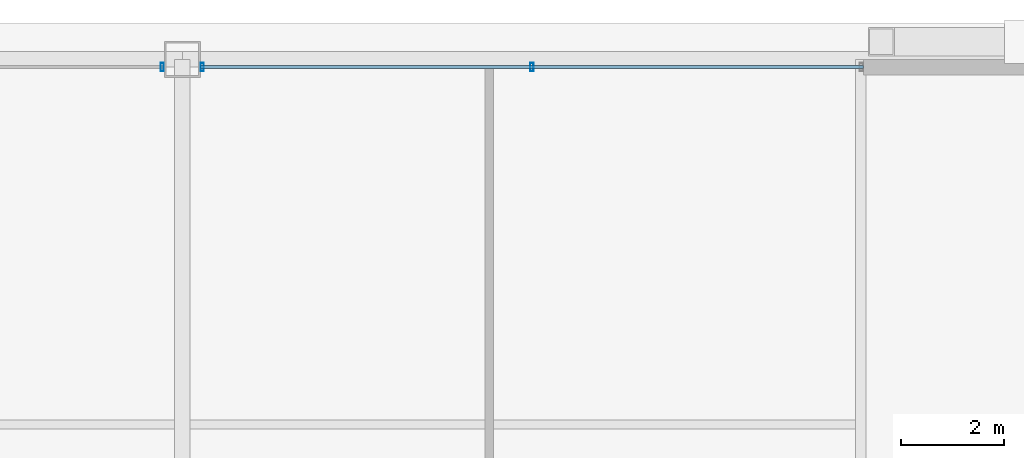
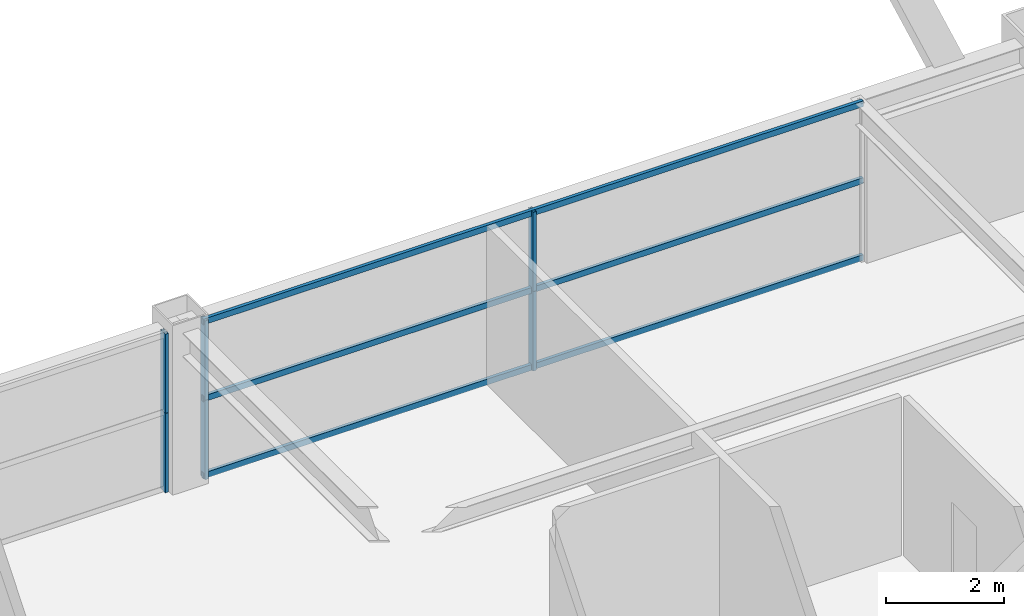
# One storey, part 25 of 33: 9 members, 2 elements without a shape of their own.
"""IFC4 building model written with IfcOpenShell, lengths in metres."""

import ifcopenshell
import ifcopenshell.guid

model = None  # the IFC model being written
_history = None  # IfcOwnerHistory: only IFC2X3 demands one
_inside = {}  # id of a spatial element -> (the spatial element, [elements in it])
_under = {}  # id of a project, library or spatial element -> (it, [spatial elements below it])
_declared = {}  # id of a project -> (the project, [libraries it declares])
_typed = {}  # id of a type object -> (the type object, [elements of that type])
_made_of = {}  # id of a material, layer set ... -> (it, [elements and type objects made of it])


def new_model(schema):
    """Start an empty IFC model of exactly this schema.

    Asked for "IFC4X3", IfcOpenShell would pick the latest addendum, in which some entities
    have other attributes; the version numbers below select the first issue.
    IFC2X3 requires an IfcOwnerHistory on every rooted entity: one is made here for all.
    """
    global model, _history
    if schema == "IFC4X3":
        model = ifcopenshell.file(schema_version=(4, 3, 0, 0))
    else:
        model = ifcopenshell.file(schema=schema)
    _inside.clear()
    _under.clear()
    _declared.clear()
    _typed.clear()
    _made_of.clear()
    _history = None
    if model.schema == "IFC2X3":
        org = make("IfcOrganization", Name="unknown")
        user = make(
            "IfcPersonAndOrganization",
            ThePerson=make("IfcPerson", FamilyName="unknown"),
            TheOrganization=org,
        )
        app = make(
            "IfcApplication",
            ApplicationDeveloper=org,
            Version="unknown",
            ApplicationFullName="unknown",
            ApplicationIdentifier="unknown",
        )
        _history = make(
            "IfcOwnerHistory",
            OwningUser=user,
            OwningApplication=app,
            ChangeAction="ADDED",
            CreationDate=0,
        )
    return model


def make(cls, **values):
    """One entity of the class cls with the attributes given. An attribute that is None is left unset."""
    return model.create_entity(
        cls, **{name: value for name, value in values.items() if value is not None}
    )


def rooted(cls, **values):
    """An entity with a GlobalId (a new one), such as an element, a storey or a relation."""
    return make(cls, GlobalId=ifcopenshell.guid.new(), OwnerHistory=_history, **values)


def si_unit(unit_type, name, prefix=None):
    """IfcSIUnit, for example si_unit("LENGTHUNIT", "METRE", prefix="MILLI")."""
    return make("IfcSIUnit", UnitType=unit_type, Prefix=prefix, Name=name)


def assignment(units):
    """IfcUnitAssignment: the units of a project."""
    return None if units is None else make("IfcUnitAssignment", Units=units)


def point(xyz):
    """IfcCartesianPoint."""
    return None if xyz is None else make("IfcCartesianPoint", Coordinates=xyz)


def direction(xyz):
    """IfcDirection."""
    return None if xyz is None else make("IfcDirection", DirectionRatios=xyz)


def frame(location, z_axis=None, x_axis=None):
    """IfcAxis2Placement3D, a coordinate frame: its origin and axes. An axis left out is left unset."""
    return make(
        "IfcAxis2Placement3D",
        Location=point(location),
        Axis=direction(z_axis),
        RefDirection=direction(x_axis),
    )


def frame_2d(location, x_axis=None):
    """IfcAxis2Placement2D, a coordinate frame in the plane: its origin and x axis."""
    return make(
        "IfcAxis2Placement2D", Location=point(location), RefDirection=direction(x_axis)
    )


def origin():
    """The frame at (0, 0, 0) with its axes left unset."""
    return frame((0.0, 0.0, 0.0))


def origin_2d():
    """The frame at (0, 0) in the plane with its x axis left unset."""
    return frame_2d((0.0, 0.0))


def place(relative_to, where):
    """IfcLocalPlacement: puts the frame where relative to a parent placement (None: the world)."""
    return make(
        "IfcLocalPlacement", PlacementRelTo=relative_to, RelativePlacement=where
    )


def context(
    kind, dimensions, precision=None, world=None, true_north=None, identifier=None
):
    """IfcGeometricRepresentationContext, for example the 3D "Model" context."""
    return make(
        "IfcGeometricRepresentationContext",
        ContextIdentifier=identifier,
        ContextType=kind,
        CoordinateSpaceDimension=dimensions,
        Precision=precision,
        WorldCoordinateSystem=world,
        TrueNorth=true_north,
    )


def subcontext(parent, identifier, kind, view, scale=None):
    """IfcGeometricRepresentationSubContext, for example "Body" below "Model"."""
    return make(
        "IfcGeometricRepresentationSubContext",
        ContextIdentifier=identifier,
        ContextType=kind,
        ParentContext=parent,
        TargetScale=scale,
        TargetView=view,
    )


def project(units=None, contexts=None):
    """IfcProject with its units and contexts."""
    return rooted(
        "IfcProject",
        Name="project",
        RepresentationContexts=contexts,
        UnitsInContext=assignment(units),
    )


def spatial(cls, under=None, at=None, **own):
    """A site, building, storey or space (cls), placed at a placement, below another one or the project."""
    s = rooted(cls, ObjectPlacement=at, **own)
    if under is not None:
        _under.setdefault(under.id(), (under, []))[1].append(s)
    return s


def profile(cls, at=None, kind="AREA", **sizes):
    """A parametric profile (cls). Its sizes go by their IFC names, for example OverallWidth=200.0."""
    return make(cls, ProfileType=kind, Position=at, **sizes)


def hollow_rectangle(**sizes):
    """IfcRectangleHollowProfileDef."""
    return profile("IfcRectangleHollowProfileDef", **sizes)


def extrude(swept, where, along, depth):
    """IfcExtrudedAreaSolid: the profile swept, set in the frame where, extruded along a direction by depth."""
    return make(
        "IfcExtrudedAreaSolid",
        SweptArea=swept,
        Position=where,
        ExtrudedDirection=direction(along),
        Depth=depth,
    )


def shape(context_of_items, identifier, shape_type, items):
    """IfcShapeRepresentation: the items that make up one representation, for example the "Body"."""
    return make(
        "IfcShapeRepresentation",
        ContextOfItems=context_of_items,
        RepresentationIdentifier=identifier,
        RepresentationType=shape_type,
        Items=items,
    )


def source(mapping_origin, context_of_items, identifier, shape_type, items):
    """IfcRepresentationMap: a shape defined once, which mapped items show again and again."""
    return make(
        "IfcRepresentationMap",
        MappingOrigin=mapping_origin,
        MappedRepresentation=shape(context_of_items, identifier, shape_type, items),
    )


def transform(
    local_origin,
    x_axis=None,
    y_axis=None,
    z_axis=None,
    scale=None,
    scale2=None,
    scale3=None,
    uniform=True,
):
    """IfcCartesianTransformationOperator3D, or its non-uniform kind. x_axis, y_axis, z_axis: its Axis1, 2, 3."""
    if uniform:
        return make(
            "IfcCartesianTransformationOperator3D",
            Axis1=direction(x_axis),
            Axis2=direction(y_axis),
            LocalOrigin=point(local_origin),
            Scale=scale,
            Axis3=direction(z_axis),
        )
    return make(
        "IfcCartesianTransformationOperator3DnonUniform",
        Axis1=direction(x_axis),
        Axis2=direction(y_axis),
        LocalOrigin=point(local_origin),
        Scale=scale,
        Axis3=direction(z_axis),
        Scale2=scale2,
        Scale3=scale3,
    )


def mapped(mapping_source, mapping_target):
    """IfcMappedItem: shows the shape of a source again, moved by a transform."""
    return make(
        "IfcMappedItem", MappingSource=mapping_source, MappingTarget=mapping_target
    )


def material(Name=None, Category=None):
    """IfcMaterial."""
    return make("IfcMaterial", Name=Name, Category=Category)


def layer(
    of_material, thickness, ventilated=None, Name=None, Category=None, Priority=None
):
    """IfcMaterialLayer: one layer of a wall or slab, of a material (None: an air gap)."""
    return make(
        "IfcMaterialLayer",
        Material=of_material,
        LayerThickness=thickness,
        IsVentilated=ventilated,
        Name=Name,
        Category=Category,
        Priority=Priority,
    )


def layer_set(layers, Name=None):
    """IfcMaterialLayerSet."""
    return make("IfcMaterialLayerSet", MaterialLayers=layers, LayerSetName=Name)


def material_profile(
    of_material, cross_section, Name=None, Category=None, Priority=None
):
    """IfcMaterialProfile: a cross section and its material."""
    return make(
        "IfcMaterialProfile",
        Name=Name,
        Material=of_material,
        Profile=cross_section,
        Priority=Priority,
        Category=Category,
    )


def profile_set(profiles, Name=None, composite=None):
    """IfcMaterialProfileSet."""
    return make(
        "IfcMaterialProfileSet",
        Name=Name,
        MaterialProfiles=profiles,
        CompositeProfile=composite,
    )


def made_of(thing, what):
    """Note that an element or type object is made of a material, layer set ...; save() writes the relation."""
    if what is not None:
        _made_of.setdefault(what.id(), (what, []))[1].append(thing)
    return thing


def type_object(cls, material=None, **own):
    """A type object (cls), such as IfcWallType, which elements share."""
    return made_of(rooted(cls, **own), material)


def element(
    cls,
    number,
    at=None,
    inside=None,
    cuts=None,
    type_object=None,
    material=None,
    context=None,
    identifier="Body",
    shape_type=None,
    held_by="IfcProductDefinitionShape",
    body=None,
    shapes=None,
    **own,
):
    """One element of the class cls, such as IfcWall. Its Tag is "e" and its number.

    at: its placement. inside: the storey or other place that contains it. cuts: it is an
    opening in that element (IfcRelVoidsElement). A single representation is given by context,
    identifier, shape_type and body (its items); several are given by shapes. held_by: the class
    of the entity that holds the representations. save() writes the other relations.
    """
    e = rooted(cls, Tag="e%d" % number, ObjectPlacement=at, **own)
    if body is not None:
        shapes = [shape(context, identifier, shape_type, body)]
    if shapes is not None:
        e.Representation = make(held_by, Representations=shapes)
    if inside is not None:
        _inside.setdefault(inside.id(), (inside, []))[1].append(e)
    if cuts is not None:
        rooted(
            "IfcRelVoidsElement", RelatingBuildingElement=cuts, RelatedOpeningElement=e
        )
    if type_object is not None:
        _typed.setdefault(type_object.id(), (type_object, []))[1].append(e)
    return made_of(e, material)


def aggregate(whole, parts):
    """IfcRelAggregates: a whole, such as a stair, and the parts it consists of."""
    return rooted("IfcRelAggregates", RelatingObject=whole, RelatedObjects=parts)


def save(model, path):
    """Write the relations noted so far, then the file.

    IfcRelAggregates (storeys below a building ...), IfcRelContainedInSpatialStructure (elements
    in a storey), IfcRelDefinesByType, IfcRelAssociatesMaterial and IfcRelDeclares: one each for
    every whole, place, type object, material and project.
    """
    for whole, parts in _under.values():
        aggregate(whole, parts)
    for where, things in _inside.values():
        rooted(
            "IfcRelContainedInSpatialStructure",
            RelatedElements=things,
            RelatingStructure=where,
        )
    for kind, things in _typed.values():
        rooted("IfcRelDefinesByType", RelatedObjects=things, RelatingType=kind)
    for what, things in _made_of.values():
        rooted("IfcRelAssociatesMaterial", RelatedObjects=things, RelatingMaterial=what)
    for by, libraries in _declared.values():
        rooted("IfcRelDeclares", RelatingContext=by, RelatedDefinitions=libraries)
    model.write(path)


model = new_model("IFC4")

# Units and contexts
model_context = context("Model", 3, precision=1e-05, world=origin(), true_north=direction((0.0, 1.0)))
body_context = subcontext(model_context, "Body", "Model", "MODEL_VIEW")
ifc_project = project(units=[si_unit("LENGTHUNIT", "METRE"), si_unit("AREAUNIT", "SQUARE_METRE"), si_unit("VOLUMEUNIT", "CUBIC_METRE"), si_unit("PLANEANGLEUNIT", "RADIAN"), si_unit("MASSUNIT", "GRAM", prefix="KILO"), si_unit("THERMODYNAMICTEMPERATUREUNIT", "KELVIN"), si_unit("POWERUNIT", "WATT")], contexts=[model_context])

# Site, building, storey
site_placement = place(None, origin())
site = spatial("IfcSite", under=ifc_project, at=site_placement, CompositionType="ELEMENT")
building_placement = place(site_placement, origin())
building = spatial("IfcBuilding", under=site, at=building_placement, Name="Yuzanri Waterfront Tower", CompositionType="ELEMENT")
storey_placement = place(building_placement, frame((0.0, 0.0, 234.60009765625)))
storey = spatial("IfcBuildingStorey", under=building, at=storey_placement, Name="L62", CompositionType="ELEMENT", Elevation=234.60009765625)

# Curtain wall, members
ifc_material_1 = material(Name="Anodized Architectural Bronze", Category="metal")
ifc_layer = layer(ifc_material_1, 0.159912109375)
ifc_layer_set = layer_set([ifc_layer], Name="Anodized Architectural Bronze")
curtain_wall_type = type_object("IfcCurtainWallType", Name="Anodized Bronze Mid-Rise Residential Acoustic Unitized Curtain Wall 7200", PredefinedType="NOTDEFINED", material=ifc_layer_set)
curtain_wall_1_placement = place(storey_placement, origin())
curtain_wall_1 = element("IfcCurtainWall", 1, at=curtain_wall_1_placement, inside=storey, type_object=curtain_wall_type, Name="L62 Curtain Wall CW-L62-NL", PredefinedType="NOTDEFINED")
ifc_material_2 = material(Name="Anodized Architectural Bronze", Category="metal")
ifc_material_profile_1 = material_profile(ifc_material_2, hollow_rectangle(XDim=0.06494140625, YDim=0.159912109375, WallThickness=0.00341796875, at=origin_2d()), Name="CWM 65x160")
ifc_profile_set_1 = profile_set([ifc_material_profile_1], Name="Anodized Architectural Bronze")
member_type_1 = type_object("IfcMemberType", Name="Anodized Bronze Upper-Zone Curtain-Wall Mullion 65x160", PredefinedType="MULLION", material=ifc_profile_set_1)
shared_shape_1 = source(origin(), body_context, "Body", "SweptSolid", [
    extrude(hollow_rectangle(XDim=0.06494140625, YDim=0.159912109375, WallThickness=0.00341796875, at=origin_2d()), origin(), (0.0, 0.0, 1.0), 1.637939453125),
])
member_1_placement = place(storey_placement, frame((36.610107421875, 46.25, 0.0), z_axis=(0.0, 0.0, 1.0), x_axis=(1.0, 0.0, 0.0)))
member_1 = element("IfcMember", 2, at=member_1_placement, type_object=member_type_1, Name="CW-L62-NL Lower Mullion 02", PredefinedType="MULLION", context=body_context, shape_type="MappedRepresentation", body=[
    mapped(shared_shape_1, transform((0.0, 0.0, 0.0), scale=1.0)),
])
member_2_placement = place(storey_placement, frame((36.610107421875, 46.25, 1.641845703125), z_axis=(0.0, 0.0, 1.0), x_axis=(1.0, 0.0, 0.0)))
member_2 = element("IfcMember", 3, at=member_2_placement, type_object=member_type_1, Name="CW-L62-NL Upper Mullion 02", PredefinedType="MULLION", context=body_context, shape_type="MappedRepresentation", body=[
    mapped(shared_shape_1, transform((0.0, 0.0, 0.0), scale=1.0)),
])
aggregate(curtain_wall_1, [member_1, member_2])

curtain_wall_2_placement = place(storey_placement, origin())
curtain_wall_2 = element("IfcCurtainWall", 4, at=curtain_wall_2_placement, inside=storey, type_object=curtain_wall_type, Name="L62 Curtain Wall CW-L62-NR", PredefinedType="NOTDEFINED")
member_3_placement = place(storey_placement, frame((37.389892578125, 46.25, 0.0), z_axis=(0.0, 0.0, 1.0), x_axis=(1.0, 0.0, 0.0)))
member_3 = element("IfcMember", 5, at=member_3_placement, type_object=member_type_1, Name="CW-L62-NR Lower Mullion 00", PredefinedType="MULLION", context=body_context, shape_type="MappedRepresentation", body=[
    mapped(shared_shape_1, transform((0.0, 0.0, 0.0), scale=1.0)),
])
member_4_placement = place(storey_placement, frame((37.389892578125, 46.25, 1.641845703125), z_axis=(0.0, 0.0, 1.0), x_axis=(1.0, 0.0, 0.0)))
member_4 = element("IfcMember", 6, at=member_4_placement, type_object=member_type_1, Name="CW-L62-NR Upper Mullion 00", PredefinedType="MULLION", context=body_context, shape_type="MappedRepresentation", body=[
    mapped(shared_shape_1, transform((0.0, 0.0, 0.0), scale=1.0)),
])
member_5_placement = place(storey_placement, frame((43.800048828125, 46.25, 0.0), z_axis=(0.0, 0.0, 1.0), x_axis=(1.0, 0.0, 0.0)))
member_5 = element("IfcMember", 7, at=member_5_placement, type_object=member_type_1, Name="CW-L62-NR Lower Mullion 01", PredefinedType="MULLION", context=body_context, shape_type="MappedRepresentation", body=[
    mapped(shared_shape_1, transform((0.0, 0.0, 0.0), scale=1.0)),
])
member_6_placement = place(storey_placement, frame((43.800048828125, 46.25, 1.641845703125), z_axis=(0.0, 0.0, 1.0), x_axis=(1.0, 0.0, 0.0)))
member_6 = element("IfcMember", 8, at=member_6_placement, type_object=member_type_1, Name="CW-L62-NR Upper Mullion 01", PredefinedType="MULLION", context=body_context, shape_type="MappedRepresentation", body=[
    mapped(shared_shape_1, transform((0.0, 0.0, 0.0), scale=1.0)),
])
ifc_material_3 = material(Name="Anodized Architectural Bronze", Category="metal")
ifc_material_profile_2 = material_profile(ifc_material_3, hollow_rectangle(XDim=0.06494140625, YDim=0.1201171875, WallThickness=0.00341796875, at=origin_2d()), Name="CWT 65x120")
ifc_profile_set_2 = profile_set([ifc_material_profile_2], Name="Anodized Architectural Bronze")
member_type_2 = type_object("IfcMemberType", Name="Anodized Bronze Secondary Curtain-Wall Transom 65x120", PredefinedType="USERDEFINED", material=ifc_profile_set_2)
shared_shape_2 = source(origin(), body_context, "Body", "SweptSolid", [
    extrude(hollow_rectangle(XDim=0.06494140625, YDim=0.1201171875, WallThickness=0.00341796875, at=origin_2d()), origin(), (0.0, 0.0, 1.0), 12.89990234375),
])
member_7_placement = place(storey_placement, frame((37.35009765625, 46.25, 0.0498046875), z_axis=(1.0, 0.0, 0.0), x_axis=(0.0, 1.0, 0.0)))
member_7 = element("IfcMember", 9, at=member_7_placement, type_object=member_type_2, Name="CW-L62-NR Transom 1", ObjectType="TRANSOM", PredefinedType="USERDEFINED", context=body_context, shape_type="MappedRepresentation", body=[
    mapped(shared_shape_2, transform((0.0, 0.0, 0.0), scale=1.0)),
])
member_8_placement = place(storey_placement, frame((37.35009765625, 46.25, 1.639892578125), z_axis=(1.0, 0.0, 0.0), x_axis=(0.0, 1.0, 0.0)))
member_8 = element("IfcMember", 10, at=member_8_placement, type_object=member_type_2, Name="CW-L62-NR Transom 2", ObjectType="TRANSOM", PredefinedType="USERDEFINED", context=body_context, shape_type="MappedRepresentation", body=[
    mapped(shared_shape_2, transform((0.0, 0.0, 0.0), scale=1.0)),
])
member_9_placement = place(storey_placement, frame((37.35009765625, 46.25, 3.22998046875), z_axis=(1.0, 0.0, 0.0), x_axis=(0.0, 1.0, 0.0)))
member_9 = element("IfcMember", 11, at=member_9_placement, type_object=member_type_2, Name="CW-L62-NR Transom 3", ObjectType="TRANSOM", PredefinedType="USERDEFINED", context=body_context, shape_type="MappedRepresentation", body=[
    mapped(shared_shape_2, transform((0.0, 0.0, 0.0), scale=1.0)),
])
aggregate(curtain_wall_2, [member_3, member_4, member_5, member_6, member_7, member_8, member_9])

save(model, "model.ifc")
